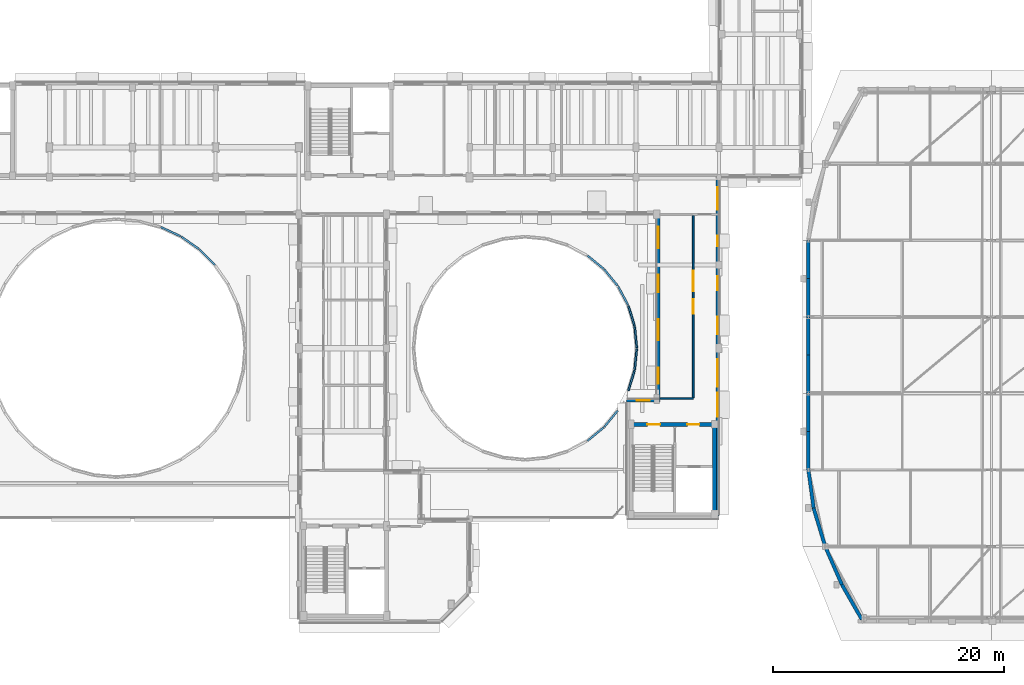
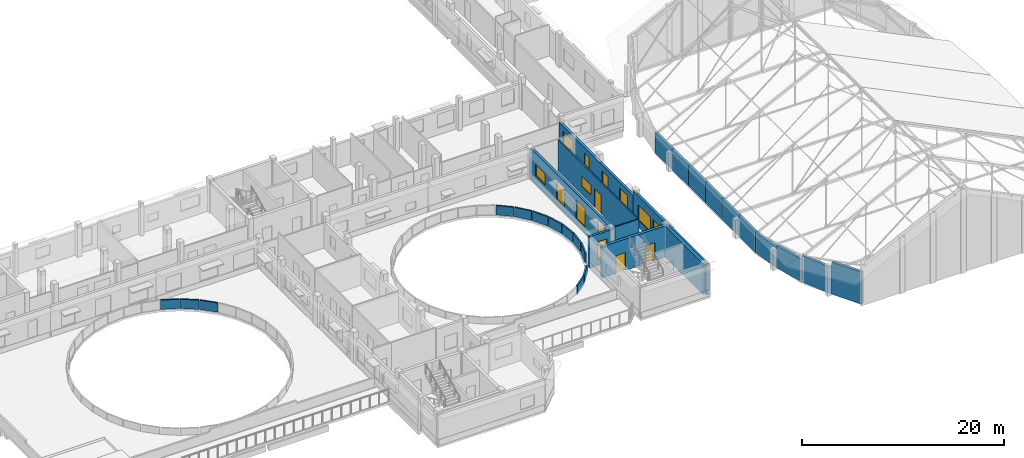
# One storey, part 63 of 78: 30 walls, 12 windows, 3 doors, 15 openings.
"""IFC4 building model written with IfcOpenShell, lengths in metres."""

import ifcopenshell
import ifcopenshell.guid

model = None  # the IFC model being written
_history = None  # IfcOwnerHistory: only IFC2X3 demands one
_inside = {}  # id of a spatial element -> (the spatial element, [elements in it])
_under = {}  # id of a project, library or spatial element -> (it, [spatial elements below it])
_declared = {}  # id of a project -> (the project, [libraries it declares])
_typed = {}  # id of a type object -> (the type object, [elements of that type])
_made_of = {}  # id of a material, layer set ... -> (it, [elements and type objects made of it])


def new_model(schema):
    """Start an empty IFC model of exactly this schema.

    Asked for "IFC4X3", IfcOpenShell would pick the latest addendum, in which some entities
    have other attributes; the version numbers below select the first issue.
    IFC2X3 requires an IfcOwnerHistory on every rooted entity: one is made here for all.
    """
    global model, _history
    if schema == "IFC4X3":
        model = ifcopenshell.file(schema_version=(4, 3, 0, 0))
    else:
        model = ifcopenshell.file(schema=schema)
    _inside.clear()
    _under.clear()
    _declared.clear()
    _typed.clear()
    _made_of.clear()
    _history = None
    if model.schema == "IFC2X3":
        org = make("IfcOrganization", Name="unknown")
        user = make(
            "IfcPersonAndOrganization",
            ThePerson=make("IfcPerson", FamilyName="unknown"),
            TheOrganization=org,
        )
        app = make(
            "IfcApplication",
            ApplicationDeveloper=org,
            Version="unknown",
            ApplicationFullName="unknown",
            ApplicationIdentifier="unknown",
        )
        _history = make(
            "IfcOwnerHistory",
            OwningUser=user,
            OwningApplication=app,
            ChangeAction="ADDED",
            CreationDate=0,
        )
    return model


def make(cls, **values):
    """One entity of the class cls with the attributes given. An attribute that is None is left unset."""
    return model.create_entity(
        cls, **{name: value for name, value in values.items() if value is not None}
    )


def rooted(cls, **values):
    """An entity with a GlobalId (a new one), such as an element, a storey or a relation."""
    return make(cls, GlobalId=ifcopenshell.guid.new(), OwnerHistory=_history, **values)


def si_unit(unit_type, name, prefix=None):
    """IfcSIUnit, for example si_unit("LENGTHUNIT", "METRE", prefix="MILLI")."""
    return make("IfcSIUnit", UnitType=unit_type, Prefix=prefix, Name=name)


def assignment(units):
    """IfcUnitAssignment: the units of a project."""
    return None if units is None else make("IfcUnitAssignment", Units=units)


def point(xyz):
    """IfcCartesianPoint."""
    return None if xyz is None else make("IfcCartesianPoint", Coordinates=xyz)


def direction(xyz):
    """IfcDirection."""
    return None if xyz is None else make("IfcDirection", DirectionRatios=xyz)


def frame(location, z_axis=None, x_axis=None):
    """IfcAxis2Placement3D, a coordinate frame: its origin and axes. An axis left out is left unset."""
    return make(
        "IfcAxis2Placement3D",
        Location=point(location),
        Axis=direction(z_axis),
        RefDirection=direction(x_axis),
    )


def frame_2d(location, x_axis=None):
    """IfcAxis2Placement2D, a coordinate frame in the plane: its origin and x axis."""
    return make(
        "IfcAxis2Placement2D", Location=point(location), RefDirection=direction(x_axis)
    )


def origin():
    """The frame at (0, 0, 0) with its axes left unset."""
    return frame((0.0, 0.0, 0.0))


def place(relative_to, where):
    """IfcLocalPlacement: puts the frame where relative to a parent placement (None: the world)."""
    return make(
        "IfcLocalPlacement", PlacementRelTo=relative_to, RelativePlacement=where
    )


def context(
    kind, dimensions, precision=None, world=None, true_north=None, identifier=None
):
    """IfcGeometricRepresentationContext, for example the 3D "Model" context."""
    return make(
        "IfcGeometricRepresentationContext",
        ContextIdentifier=identifier,
        ContextType=kind,
        CoordinateSpaceDimension=dimensions,
        Precision=precision,
        WorldCoordinateSystem=world,
        TrueNorth=true_north,
    )


def subcontext(parent, identifier, kind, view, scale=None):
    """IfcGeometricRepresentationSubContext, for example "Body" below "Model"."""
    return make(
        "IfcGeometricRepresentationSubContext",
        ContextIdentifier=identifier,
        ContextType=kind,
        ParentContext=parent,
        TargetScale=scale,
        TargetView=view,
    )


def project(units=None, contexts=None):
    """IfcProject with its units and contexts."""
    return rooted(
        "IfcProject",
        Name="project",
        RepresentationContexts=contexts,
        UnitsInContext=assignment(units),
    )


def spatial(cls, under=None, at=None, **own):
    """A site, building, storey or space (cls), placed at a placement, below another one or the project."""
    s = rooted(cls, ObjectPlacement=at, **own)
    if under is not None:
        _under.setdefault(under.id(), (under, []))[1].append(s)
    return s


def profile(cls, at=None, kind="AREA", **sizes):
    """A parametric profile (cls). Its sizes go by their IFC names, for example OverallWidth=200.0."""
    return make(cls, ProfileType=kind, Position=at, **sizes)


def rectangle(**sizes):
    """IfcRectangleProfileDef."""
    return profile("IfcRectangleProfileDef", **sizes)


def extrude(swept, where, along, depth):
    """IfcExtrudedAreaSolid: the profile swept, set in the frame where, extruded along a direction by depth."""
    return make(
        "IfcExtrudedAreaSolid",
        SweptArea=swept,
        Position=where,
        ExtrudedDirection=direction(along),
        Depth=depth,
    )


def shape(context_of_items, identifier, shape_type, items):
    """IfcShapeRepresentation: the items that make up one representation, for example the "Body"."""
    return make(
        "IfcShapeRepresentation",
        ContextOfItems=context_of_items,
        RepresentationIdentifier=identifier,
        RepresentationType=shape_type,
        Items=items,
    )


def material(Name=None, Category=None):
    """IfcMaterial."""
    return make("IfcMaterial", Name=Name, Category=Category)


def layer(
    of_material, thickness, ventilated=None, Name=None, Category=None, Priority=None
):
    """IfcMaterialLayer: one layer of a wall or slab, of a material (None: an air gap)."""
    return make(
        "IfcMaterialLayer",
        Material=of_material,
        LayerThickness=thickness,
        IsVentilated=ventilated,
        Name=Name,
        Category=Category,
        Priority=Priority,
    )


def layer_set(layers, Name=None):
    """IfcMaterialLayerSet."""
    return make("IfcMaterialLayerSet", MaterialLayers=layers, LayerSetName=Name)


def made_of(thing, what):
    """Note that an element or type object is made of a material, layer set ...; save() writes the relation."""
    if what is not None:
        _made_of.setdefault(what.id(), (what, []))[1].append(thing)
    return thing


def type_object(cls, material=None, **own):
    """A type object (cls), such as IfcWallType, which elements share."""
    return made_of(rooted(cls, **own), material)


def element(
    cls,
    number,
    at=None,
    inside=None,
    cuts=None,
    type_object=None,
    material=None,
    context=None,
    identifier="Body",
    shape_type=None,
    held_by="IfcProductDefinitionShape",
    body=None,
    shapes=None,
    **own,
):
    """One element of the class cls, such as IfcWall. Its Tag is "e" and its number.

    at: its placement. inside: the storey or other place that contains it. cuts: it is an
    opening in that element (IfcRelVoidsElement). A single representation is given by context,
    identifier, shape_type and body (its items); several are given by shapes. held_by: the class
    of the entity that holds the representations. save() writes the other relations.
    """
    e = rooted(cls, Tag="e%d" % number, ObjectPlacement=at, **own)
    if body is not None:
        shapes = [shape(context, identifier, shape_type, body)]
    if shapes is not None:
        e.Representation = make(held_by, Representations=shapes)
    if inside is not None:
        _inside.setdefault(inside.id(), (inside, []))[1].append(e)
    if cuts is not None:
        rooted(
            "IfcRelVoidsElement", RelatingBuildingElement=cuts, RelatedOpeningElement=e
        )
    if type_object is not None:
        _typed.setdefault(type_object.id(), (type_object, []))[1].append(e)
    return made_of(e, material)


def fill(opening, filler):
    """IfcRelFillsElement: the door or window that sits in an opening."""
    return rooted(
        "IfcRelFillsElement",
        RelatingOpeningElement=opening,
        RelatedBuildingElement=filler,
    )


def aggregate(whole, parts):
    """IfcRelAggregates: a whole, such as a stair, and the parts it consists of."""
    return rooted("IfcRelAggregates", RelatingObject=whole, RelatedObjects=parts)


def save(model, path):
    """Write the relations noted so far, then the file.

    IfcRelAggregates (storeys below a building ...), IfcRelContainedInSpatialStructure (elements
    in a storey), IfcRelDefinesByType, IfcRelAssociatesMaterial and IfcRelDeclares: one each for
    every whole, place, type object, material and project.
    """
    for whole, parts in _under.values():
        aggregate(whole, parts)
    for where, things in _inside.values():
        rooted(
            "IfcRelContainedInSpatialStructure",
            RelatedElements=things,
            RelatingStructure=where,
        )
    for kind, things in _typed.values():
        rooted("IfcRelDefinesByType", RelatedObjects=things, RelatingType=kind)
    for what, things in _made_of.values():
        rooted("IfcRelAssociatesMaterial", RelatedObjects=things, RelatingMaterial=what)
    for by, libraries in _declared.values():
        rooted("IfcRelDeclares", RelatingContext=by, RelatedDefinitions=libraries)
    model.write(path)


model = new_model("IFC4")

# Units and contexts
model_context = context("Model", 3, precision=1e-05, world=origin(), true_north=direction((0.0, 1.0)))
body_context = subcontext(model_context, "Body", "Model", "MODEL_VIEW")
ifc_project = project(units=[si_unit("LENGTHUNIT", "METRE"), si_unit("AREAUNIT", "SQUARE_METRE"), si_unit("VOLUMEUNIT", "CUBIC_METRE"), si_unit("PLANEANGLEUNIT", "RADIAN"), si_unit("MASSUNIT", "GRAM", prefix="KILO")], contexts=[model_context])

# Site, building, storey
site_placement = place(None, origin())
site = spatial("IfcSite", under=ifc_project, at=site_placement, CompositionType="ELEMENT")
building_placement = place(site_placement, origin())
building = spatial("IfcBuilding", under=site, at=building_placement, Name="Kelanivale Promenade Academy", CompositionType="ELEMENT")
storey_placement = place(building_placement, frame((0.0, 0.0, 16.199951171875)))
storey = spatial("IfcBuildingStorey", under=building, at=storey_placement, Name="L04", CompositionType="ELEMENT", Elevation=16.199951171875)

# Wall, openings, doors
ifc_material_1 = material(Name="Concrete C40/50", Category="concrete")
ifc_layer_1 = layer(ifc_material_1, 0.330078125)
ifc_layer_set_1 = layer_set([ifc_layer_1], Name="Concrete C40/50")
wall_type_1 = type_object("IfcWallType", Name="CW-S1 Wall 330mm", PredefinedType="SHEAR", material=ifc_layer_set_1)
wall_1_placement = place(storey_placement, frame((107.8349609375, 50.199951171875, 0.0), z_axis=(0.0, 0.0, 1.0), x_axis=(1.0, 0.0, 0.0)))
wall_1 = element("IfcWall", 1, at=wall_1_placement, inside=storey, type_object=wall_type_1, Name="CORE-3 RC shear wall N L04", PredefinedType="SHEAR", context=body_context, shape_type="SweptSolid", body=[
    extrude(rectangle(XDim=7.530029296875, YDim=0.330078125, at=frame_2d((3.76513671875, 0.0))), origin(), (0.0, 0.0, 1.0), 3.780029296875),
])
opening_1_placement = place(wall_1_placement, frame((5.014892578125, 0.0, 0.0)))
opening_1 = element("IfcOpeningElement", 2, at=opening_1_placement, cuts=wall_1, Name="Opening FD-CORE-3-LB-L04", PredefinedType="OPENING", context=body_context, shape_type="SweptSolid", body=[
    extrude(rectangle(XDim=1.050048828125, YDim=2.14990234375, at=frame_2d((0.52490234375, 1.074951171875))), frame((0.0, 0.175048828125, 0.0), z_axis=(0.0, -1.0, 0.0), x_axis=(1.0, 0.0, 0.0)), (0.0, 0.0, 1.0), 0.35009765625),
])
opening_2_placement = place(wall_1_placement, frame((1.56494140625, 0.0, 0.0)))
opening_2 = element("IfcOpeningElement", 3, at=opening_2_placement, cuts=wall_1, Name="Opening FD-CORE-3-ST-L04", PredefinedType="OPENING", context=body_context, shape_type="SweptSolid", body=[
    extrude(rectangle(XDim=1.10009765625, YDim=2.14990234375, at=frame_2d((0.550048828125, 1.074951171875))), frame((0.0, 0.175048828125, 0.0), z_axis=(0.0, -1.0, 0.0), x_axis=(1.0, 0.0, 0.0)), (0.0, 0.0, 1.0), 0.35009765625),
])
ifc_material_2 = material(Name="Fire-rated steel-core teak veneer", Category="steel")
door_type_1 = type_object("IfcDoorType", Name="DT-F01 Door 1100x2150", OperationType="NOTDEFINED", PredefinedType="DOOR", material=ifc_material_2)
door_1_placement = place(opening_2_placement, origin())
door_1 = element("IfcDoor", 4, at=door_1_placement, inside=storey, type_object=door_type_1, Name="CORE-3 protected stair fire door L04", OperationType="SINGLE_SWING_LEFT", OverallHeight=2.14990234375, OverallWidth=1.10009765625, PredefinedType="DOOR", context=body_context, shape_type="SweptSolid", body=[
    extrude(rectangle(XDim=1.10009765625, YDim=2.14990234375, at=frame_2d((0.550048828125, 1.074951171875))), frame((0.0, 0.02490234375, 0.0), z_axis=(0.0, -1.0, 0.0), x_axis=(1.0, 0.0, 0.0)), (0.0, 0.0, 1.0), 0.050048828125),
])
fill(opening_2, door_1)
door_type_2 = type_object("IfcDoorType", Name="DT-F03 Door 1050x2150", OperationType="NOTDEFINED", PredefinedType="DOOR", material=ifc_material_2)
door_2_placement = place(opening_1_placement, origin())
door_2 = element("IfcDoor", 5, at=door_2_placement, inside=storey, type_object=door_type_2, Name="CORE-3 corridor-to-lobby fire door L04", OperationType="SINGLE_SWING_RIGHT", OverallHeight=2.14990234375, OverallWidth=1.050048828125, PredefinedType="DOOR", context=body_context, shape_type="SweptSolid", body=[
    extrude(rectangle(XDim=1.050048828125, YDim=2.14990234375, at=frame_2d((0.52490234375, 1.074951171875))), frame((0.0, 0.02490234375, 0.0), z_axis=(0.0, -1.0, 0.0), x_axis=(1.0, 0.0, 0.0)), (0.0, 0.0, 1.0), 0.050048828125),
])
fill(opening_1, door_2)

# Walls
wall_2_placement = place(storey_placement, frame((115.199951171875, 42.56494140625, 0.0), z_axis=(0.0, 0.0, 1.0), x_axis=(0.0, 1.0, 0.0)))
element("IfcWall", 6, at=wall_2_placement, inside=storey, type_object=wall_type_1, Name="CORE-3 RC shear wall E L04", PredefinedType="SHEAR", context=body_context, shape_type="SweptSolid", body=[
    extrude(rectangle(XDim=7.469970703125, YDim=0.330078125, at=frame_2d((3.73486328125, 0.0))), origin(), (0.0, 0.0, 1.0), 3.780029296875),
])
ifc_material_3 = material(Name="Insulated terracotta-clad masonry wall 300 mm", Category="masonry")
ifc_layer_2 = layer(ifc_material_3, 0.300048828125)
ifc_layer_set_2 = layer_set([ifc_layer_2], Name="Insulated terracotta-clad masonry wall 300 mm")
wall_type_2 = type_object("IfcWallType", Name="EW-01 Wall 300mm", PredefinedType="SOLIDWALL", material=ifc_layer_set_2)
wall_3_placement = place(storey_placement, frame((126.25, 36.31396484375, 0.0), z_axis=(0.0, 0.0, 1.0), x_axis=(0.497392560198, -0.867525585248, 0.0)))
element("IfcWall", 7, at=wall_3_placement, inside=storey, type_object=wall_type_2, Name="Assembly Hall Arc Pavilion inner crescent wall L04", PredefinedType="SOLIDWALL", context=body_context, shape_type="SweptSolid", body=[
    extrude(rectangle(XDim=3.47998046875, YDim=0.300048828125, at=frame_2d((1.739990234375, 0.0))), origin(), (0.0, 0.0, 1.0), 3.89794921875),
])
wall_4_placement = place(storey_placement, frame((124.800048828125, 39.62890625, 0.0), z_axis=(0.0, 0.0, 1.0), x_axis=(0.400740958437, -0.916191401526, 0.0)))
element("IfcWall", 8, at=wall_4_placement, inside=storey, type_object=wall_type_2, Name="Assembly Hall Arc Pavilion inner crescent wall L04", PredefinedType="SOLIDWALL", context=body_context, shape_type="SweptSolid", body=[
    extrude(rectangle(XDim=3.6181640625, YDim=0.300048828125, at=frame_2d((1.80908203125, 0.0))), origin(), (0.0, 0.0, 1.0), 3.18896484375),
])
wall_5_placement = place(storey_placement, frame((123.800048828125, 42.943115234375, 0.0), z_axis=(0.0, 0.0, 1.0), x_axis=(0.288868004026, -0.957368934241, 0.0)))
element("IfcWall", 9, at=wall_5_placement, inside=storey, type_object=wall_type_2, Name="Assembly Hall Arc Pavilion inner crescent wall L04", PredefinedType="SOLIDWALL", context=body_context, shape_type="SweptSolid", body=[
    extrude(rectangle(XDim=3.461669921875, YDim=0.300048828125, at=frame_2d((1.73095703125, 0.0))), origin(), (0.0, 0.0, 1.0), 2.700927734375),
])
wall_6_placement = place(storey_placement, frame((123.35009765625, 46.257080078125, 0.0), z_axis=(0.0, 0.0, 1.0), x_axis=(0.134539839792, -0.990908185206, 0.0)))
element("IfcWall", 10, at=wall_6_placement, inside=storey, type_object=wall_type_2, Name="Assembly Hall Arc Pavilion inner crescent wall L04", PredefinedType="SOLIDWALL", context=body_context, shape_type="SweptSolid", body=[
    extrude(rectangle(XDim=3.344482421875, YDim=0.300048828125, at=frame_2d((1.67236328125, 0.0))), origin(), (0.0, 0.0, 1.0), 2.48095703125),
])
wall_7_placement = place(storey_placement, frame((123.35009765625, 49.571044921875, 0.0), z_axis=(0.0, 0.0, 1.0), x_axis=(0.0, -1.0, 0.0)))
element("IfcWall", 11, at=wall_7_placement, inside=storey, type_object=wall_type_2, Name="Assembly Hall Arc Pavilion inner crescent wall L04", PredefinedType="SOLIDWALL", context=body_context, shape_type="SweptSolid", body=[
    extrude(rectangle(XDim=3.31396484375, YDim=0.300048828125, at=frame_2d((1.656982421875, 0.0))), origin(), (0.0, 0.0, 1.0), 2.48095703125),
])
wall_8_placement = place(storey_placement, frame((123.35009765625, 52.885986328125, 0.0), z_axis=(0.0, 0.0, 1.0), x_axis=(0.0, -1.0, 0.0)))
element("IfcWall", 12, at=wall_8_placement, inside=storey, type_object=wall_type_2, Name="Assembly Hall Arc Pavilion inner crescent wall L04", PredefinedType="SOLIDWALL", context=body_context, shape_type="SweptSolid", body=[
    extrude(rectangle(XDim=3.31494140625, YDim=0.300048828125, at=frame_2d((1.657470703125, 0.0))), origin(), (0.0, 0.0, 1.0), 2.48095703125),
])
for number, where, z_axis, x_axis, name in (
    (13, (123.35009765625, 56.199951171875, 0.0), (0.0, 0.0, 1.0), (0.0, -1.0, 0.0), "Assembly Hall Arc Pavilion inner crescent wall L04"),
    (14, (123.35009765625, 59.513916015625, 0.0), (0.0, 0.0, 1.0), (0.0, -1.0, 0.0), "Assembly Hall Arc Pavilion inner crescent wall L04"),
):
    element("IfcWall", number, at=place(storey_placement, frame(where, z_axis=z_axis, x_axis=x_axis)), inside=storey, type_object=wall_type_2, Name=name, PredefinedType="SOLIDWALL", context=body_context, shape_type="SweptSolid", body=[
        extrude(rectangle(XDim=3.31396484375, YDim=0.300048828125, at=frame_2d((1.656982421875, 0.0))), origin(), (0.0, 0.0, 1.0), 2.48095703125),
    ])
wall_9_placement = place(storey_placement, frame((123.35009765625, 62.8291015625, 0.0), z_axis=(0.0, 0.0, 1.0), x_axis=(0.0, -1.0, 0.0)))
element("IfcWall", 15, at=wall_9_placement, inside=storey, type_object=wall_type_2, Name="Assembly Hall Arc Pavilion inner crescent wall L04", PredefinedType="SOLIDWALL", context=body_context, shape_type="SweptSolid", body=[
    extrude(rectangle(XDim=3.315185546875, YDim=0.300048828125, at=frame_2d((1.65771484375, 0.0))), origin(), (0.0, 0.0, 1.0), 2.48095703125),
])
wall_10_placement = place(storey_placement, frame((123.35009765625, 66.14306640625, 0.0), z_axis=(0.0, 0.0, 1.0), x_axis=(0.0, -1.0, 0.0)))
element("IfcWall", 16, at=wall_10_placement, inside=storey, type_object=wall_type_2, Name="Assembly Hall Arc Pavilion inner crescent wall L04", PredefinedType="SOLIDWALL", context=body_context, shape_type="SweptSolid", body=[
    extrude(rectangle(XDim=3.31396484375, YDim=0.300048828125, at=frame_2d((1.656982421875, 0.0))), origin(), (0.0, 0.0, 1.0), 2.48095703125),
])

# Wall, openings, windows
ifc_material_4 = material(Name="Insulated ivory stucco masonry wall 280 mm", Category="masonry")
ifc_layer_3 = layer(ifc_material_4, 0.280029296875)
ifc_layer_set_3 = layer_set([ifc_layer_3], Name="Insulated ivory stucco masonry wall 280 mm")
wall_type_3 = type_object("IfcWallType", Name="EW-02 Wall 280mm", PredefinedType="SOLIDWALL", material=ifc_layer_set_3)
wall_11_placement = place(storey_placement, frame((110.340087890625, 68.39990234375, 0.0), z_axis=(0.0, 0.0, 1.0), x_axis=(0.0, -1.0, 0.0)))
wall_11 = element("IfcWall", 17, at=wall_11_placement, inside=storey, type_object=wall_type_3, Name="L04 exterior facade wall EW-L04-ORT-0524", PredefinedType="SOLIDWALL", context=body_context, shape_type="SweptSolid", body=[
    extrude(rectangle(XDim=16.0, YDim=0.280029296875, at=frame_2d((8.0, 0.0))), origin(), (0.0, 0.0, 1.0), 3.780029296875),
])
opening_3_placement = place(wall_11_placement, frame((1.074951171875, 0.0, 1.050048828125)))
opening_3 = element("IfcOpeningElement", 18, at=opening_3_placement, cuts=wall_11, Name="Opening WT-36", PredefinedType="OPENING", context=body_context, shape_type="SweptSolid", body=[
    extrude(rectangle(XDim=1.85009765625, YDim=1.39990234375, at=frame_2d((0.925048828125, 0.699951171875))), frame((0.0, 0.14990234375, 0.0), z_axis=(0.0, -1.0, 0.0), x_axis=(1.0, 0.0, 0.0)), (0.0, 0.0, 1.0), 0.300048828125),
])
opening_4_placement = place(wall_11_placement, frame((5.25, 0.0, 0.75)))
opening_4 = element("IfcOpeningElement", 19, at=opening_4_placement, cuts=wall_11, Name="Opening WT-11", PredefinedType="OPENING", context=body_context, shape_type="SweptSolid", body=[
    extrude(rectangle(XDim=1.5, YDim=2.199951171875, at=frame_2d((0.75, 1.10009765625))), frame((0.0, 0.14990234375, 0.0), z_axis=(0.0, -1.0, 0.0), x_axis=(1.0, 0.0, 0.0)), (0.0, 0.0, 1.0), 0.300048828125),
])
opening_5_placement = place(wall_11_placement, frame((9.10009765625, 0.0, 0.75)))
opening_5 = element("IfcOpeningElement", 20, at=opening_5_placement, cuts=wall_11, Name="Opening WT-12", PredefinedType="OPENING", context=body_context, shape_type="SweptSolid", body=[
    extrude(rectangle(XDim=1.800048828125, YDim=2.25, at=frame_2d((0.89990234375, 1.125))), frame((0.0, 0.14990234375, 0.0), z_axis=(0.0, -1.0, 0.0), x_axis=(1.0, 0.0, 0.0)), (0.0, 0.0, 1.0), 0.300048828125),
])
opening_6_placement = place(wall_11_placement, frame((13.300048828125, 0.0, 0.75)))
opening_6 = element("IfcOpeningElement", 21, at=opening_6_placement, cuts=wall_11, Name="Opening WT-13", PredefinedType="OPENING", context=body_context, shape_type="SweptSolid", body=[
    extrude(rectangle(XDim=1.39990234375, YDim=2.39990234375, at=frame_2d((0.699951171875, 1.199951171875))), frame((0.0, 0.14990234375, 0.0), z_axis=(0.0, -1.0, 0.0), x_axis=(1.0, 0.0, 0.0)), (0.0, 0.0, 1.0), 0.300048828125),
])
ifc_material_5 = material(Name="Bronze anodised aluminium frame with low-E laminated glass", Category="aluminium")
window_type_1 = type_object("IfcWindowType", Name="WT-11 Window 1500x2200", PartitioningType="SINGLE_PANEL", PredefinedType="WINDOW", material=ifc_material_5)
window_1_placement = place(opening_4_placement, origin())
window_1 = element("IfcWindow", 22, at=window_1_placement, inside=storey, type_object=window_type_1, Name="Window WT-11", OverallHeight=2.199951171875, OverallWidth=1.5, PartitioningType="SINGLE_PANEL", PredefinedType="WINDOW", context=body_context, shape_type="SweptSolid", body=[
    extrude(rectangle(XDim=1.5, YDim=2.199951171875, at=frame_2d((0.75, 1.10009765625))), frame((0.0, 0.030029296875, 0.0), z_axis=(0.0, -1.0, 0.0), x_axis=(1.0, 0.0, 0.0)), (0.0, 0.0, 1.0), 0.06005859375),
])
fill(opening_4, window_1)
window_type_2 = type_object("IfcWindowType", Name="WT-12 Window 1800x2250", PartitioningType="SINGLE_PANEL", PredefinedType="WINDOW", material=ifc_material_5)
window_2_placement = place(opening_5_placement, origin())
window_2 = element("IfcWindow", 23, at=window_2_placement, inside=storey, type_object=window_type_2, Name="Window WT-12", OverallHeight=2.25, OverallWidth=1.800048828125, PartitioningType="SINGLE_PANEL", PredefinedType="WINDOW", context=body_context, shape_type="SweptSolid", body=[
    extrude(rectangle(XDim=1.800048828125, YDim=2.25, at=frame_2d((0.89990234375, 1.125))), frame((0.0, 0.030029296875, 0.0), z_axis=(0.0, -1.0, 0.0), x_axis=(1.0, 0.0, 0.0)), (0.0, 0.0, 1.0), 0.06005859375),
])
fill(opening_5, window_2)
window_type_3 = type_object("IfcWindowType", Name="WT-13 Window 1400x2400", PartitioningType="SINGLE_PANEL", PredefinedType="WINDOW", material=ifc_material_5)
window_3_placement = place(opening_6_placement, origin())
window_3 = element("IfcWindow", 24, at=window_3_placement, inside=storey, type_object=window_type_3, Name="Window WT-13", OverallHeight=2.39990234375, OverallWidth=1.39990234375, PartitioningType="SINGLE_PANEL", PredefinedType="WINDOW", context=body_context, shape_type="SweptSolid", body=[
    extrude(rectangle(XDim=1.39990234375, YDim=2.39990234375, at=frame_2d((0.699951171875, 1.199951171875))), frame((0.0, 0.030029296875, 0.0), z_axis=(0.0, -1.0, 0.0), x_axis=(1.0, 0.0, 0.0)), (0.0, 0.0, 1.0), 0.06005859375),
])
fill(opening_6, window_3)
window_type_4 = type_object("IfcWindowType", Name="WT-36 Window 1850x1400", PartitioningType="SINGLE_PANEL", PredefinedType="WINDOW", material=ifc_material_5)
window_4_placement = place(opening_3_placement, origin())
window_4 = element("IfcWindow", 25, at=window_4_placement, inside=storey, type_object=window_type_4, Name="Window WT-36", OverallHeight=1.39990234375, OverallWidth=1.85009765625, PartitioningType="SINGLE_PANEL", PredefinedType="WINDOW", context=body_context, shape_type="SweptSolid", body=[
    extrude(rectangle(XDim=1.85009765625, YDim=1.39990234375, at=frame_2d((0.925048828125, 0.699951171875))), frame((0.0, 0.030029296875, 0.0), z_axis=(0.0, -1.0, 0.0), x_axis=(1.0, 0.0, 0.0)), (0.0, 0.0, 1.0), 0.06005859375),
])
fill(opening_3, window_4)

# Wall, opening, window
wall_12_placement = place(storey_placement, frame((110.47998046875, 52.260009765625, 0.0), z_axis=(0.0, 0.0, 1.0), x_axis=(-1.0, 0.0, 0.0)))
wall_12 = element("IfcWall", 26, at=wall_12_placement, inside=storey, type_object=wall_type_3, Name="L04 exterior facade wall EW-L04-ORT-0525", PredefinedType="SOLIDWALL", context=body_context, shape_type="SweptSolid", body=[
    extrude(rectangle(XDim=2.8798828125, YDim=0.280029296875, at=frame_2d((1.43994140625, 0.0))), origin(), (0.0, 0.0, 1.0), 3.780029296875),
])
opening_7_placement = place(wall_12_placement, frame((0.889892578125, 0.0, 0.75)))
opening_7 = element("IfcOpeningElement", 27, at=opening_7_placement, cuts=wall_12, Name="Opening WT-17", PredefinedType="OPENING", context=body_context, shape_type="SweptSolid", body=[
    extrude(rectangle(XDim=1.10009765625, YDim=2.10009765625, at=frame_2d((0.550048828125, 1.050048828125))), frame((0.0, 0.14990234375, 0.0), z_axis=(0.0, -1.0, 0.0), x_axis=(1.0, 0.0, 0.0)), (0.0, 0.0, 1.0), 0.300048828125),
])
window_type_5 = type_object("IfcWindowType", Name="WT-17 Window 1100x2100", PartitioningType="SINGLE_PANEL", PredefinedType="WINDOW", material=ifc_material_5)
window_5_placement = place(opening_7_placement, origin())
window_5 = element("IfcWindow", 28, at=window_5_placement, inside=storey, type_object=window_type_5, Name="Window WT-17", OverallHeight=2.10009765625, OverallWidth=1.10009765625, PartitioningType="SINGLE_PANEL", PredefinedType="WINDOW", context=body_context, shape_type="SweptSolid", body=[
    extrude(rectangle(XDim=1.10009765625, YDim=2.10009765625, at=frame_2d((0.550048828125, 1.050048828125))), frame((0.0, 0.030029296875, 0.0), z_axis=(0.0, -1.0, 0.0), x_axis=(1.0, 0.0, 0.0)), (0.0, 0.0, 1.0), 0.06005859375),
])
fill(opening_7, window_5)

# Wall, openings, windows
wall_13_placement = place(storey_placement, frame((115.4599609375, 42.280029296875, 0.0), z_axis=(0.0, 0.0, 1.0), x_axis=(0.0, 1.0, 0.0)))
wall_13 = element("IfcWall", 29, at=wall_13_placement, inside=storey, type_object=wall_type_3, Name="L04 exterior facade wall EW-L04-ORT-0528", PredefinedType="SOLIDWALL", context=body_context, shape_type="SweptSolid", body=[
    extrude(rectangle(XDim=14.659912109375, YDim=0.280029296875, at=frame_2d((7.330078125, 0.0))), origin(), (0.0, 0.0, 1.0), 3.780029296875),
])
opening_8_placement = place(wall_13_placement, frame((8.56201171875, 0.0, 0.85009765625)))
opening_8 = element("IfcOpeningElement", 30, at=opening_8_placement, cuts=wall_13, Name="Opening WT-02", PredefinedType="OPENING", context=body_context, shape_type="SweptSolid", body=[
    extrude(rectangle(XDim=2.10009765625, YDim=1.800048828125, at=frame_2d((1.050048828125, 0.89990234375))), frame((0.0, 0.14990234375, 0.0), z_axis=(0.0, -1.0, 0.0), x_axis=(1.0, 0.0, 0.0)), (0.0, 0.0, 1.0), 0.300048828125),
])
opening_9_placement = place(wall_13_placement, frame((11.177001953125, 0.0, 0.85009765625)))
opening_9 = element("IfcOpeningElement", 31, at=opening_9_placement, cuts=wall_13, Name="Opening WT-03", PredefinedType="OPENING", context=body_context, shape_type="SweptSolid", body=[
    extrude(rectangle(XDim=2.39990234375, YDim=1.85009765625, at=frame_2d((1.199951171875, 0.925048828125))), frame((0.0, 0.14990234375, 0.0), z_axis=(0.0, -1.0, 0.0), x_axis=(1.0, 0.0, 0.0)), (0.0, 0.0, 1.0), 0.300048828125),
])
window_type_6 = type_object("IfcWindowType", Name="WT-02 Window 2100x1800", PartitioningType="SINGLE_PANEL", PredefinedType="WINDOW", material=ifc_material_5)
window_6_placement = place(opening_8_placement, origin())
window_6 = element("IfcWindow", 32, at=window_6_placement, inside=storey, type_object=window_type_6, Name="Window WT-02", OverallHeight=1.800048828125, OverallWidth=2.10009765625, PartitioningType="SINGLE_PANEL", PredefinedType="WINDOW", context=body_context, shape_type="SweptSolid", body=[
    extrude(rectangle(XDim=2.10009765625, YDim=1.800048828125, at=frame_2d((1.050048828125, 0.89990234375))), frame((0.0, 0.030029296875, 0.0), z_axis=(0.0, -1.0, 0.0), x_axis=(1.0, 0.0, 0.0)), (0.0, 0.0, 1.0), 0.06005859375),
])
fill(opening_8, window_6)
window_type_7 = type_object("IfcWindowType", Name="WT-03 Window 2400x1850", PartitioningType="SINGLE_PANEL", PredefinedType="WINDOW", material=ifc_material_5)
window_7_placement = place(opening_9_placement, origin())
window_7 = element("IfcWindow", 33, at=window_7_placement, inside=storey, type_object=window_type_7, Name="Window WT-03", OverallHeight=1.85009765625, OverallWidth=2.39990234375, PartitioningType="SINGLE_PANEL", PredefinedType="WINDOW", context=body_context, shape_type="SweptSolid", body=[
    extrude(rectangle(XDim=2.39990234375, YDim=1.85009765625, at=frame_2d((1.199951171875, 0.925048828125))), frame((0.0, 0.030029296875, 0.0), z_axis=(0.0, -1.0, 0.0), x_axis=(1.0, 0.0, 0.0)), (0.0, 0.0, 1.0), 0.06005859375),
])
fill(opening_9, window_7)

wall_14_placement = place(storey_placement, frame((115.4599609375, 56.93994140625, 0.0), z_axis=(0.0, 0.0, 1.0), x_axis=(0.0, 1.0, 0.0)))
wall_14 = element("IfcWall", 34, at=wall_14_placement, inside=storey, type_object=wall_type_3, Name="L04 exterior facade wall EW-L04-ORT-0529", PredefinedType="SOLIDWALL", context=body_context, shape_type="SweptSolid", body=[
    extrude(rectangle(XDim=14.66015625, YDim=0.280029296875, at=frame_2d((7.330078125, 0.0))), origin(), (0.0, 0.0, 1.0), 3.175048828125),
])
opening_10_placement = place(wall_14_placement, frame((1.08203125, 0.0, 0.85009765625)))
opening_10 = element("IfcOpeningElement", 35, at=opening_10_placement, cuts=wall_14, Name="Opening WT-04", PredefinedType="OPENING", context=body_context, shape_type="SweptSolid", body=[
    extrude(rectangle(XDim=1.5, YDim=1.64990234375, at=frame_2d((0.75, 0.824951171875))), frame((0.0, 0.14990234375, 0.0), z_axis=(0.0, -1.0, 0.0), x_axis=(1.0, 0.0, 0.0)), (0.0, 0.0, 1.0), 0.300048828125),
])
opening_11_placement = place(wall_14_placement, frame((4.89697265625, 0.0, 0.85009765625)))
opening_11 = element("IfcOpeningElement", 36, at=opening_11_placement, cuts=wall_14, Name="Opening WT-05", PredefinedType="OPENING", context=body_context, shape_type="SweptSolid", body=[
    extrude(rectangle(XDim=1.199951171875, YDim=1.64990234375, at=frame_2d((0.60009765625, 0.824951171875))), frame((0.0, 0.14990234375, 0.0), z_axis=(0.0, -1.0, 0.0), x_axis=(1.0, 0.0, 0.0)), (0.0, 0.0, 1.0), 0.300048828125),
])
opening_12_placement = place(wall_14_placement, frame((8.7119140625, 0.0, 1.050048828125)))
opening_12 = element("IfcOpeningElement", 37, at=opening_12_placement, cuts=wall_14, Name="Opening WT-06", PredefinedType="OPENING", context=body_context, shape_type="SweptSolid", body=[
    extrude(rectangle(XDim=0.89990234375, YDim=1.5, at=frame_2d((0.449951171875, 0.75))), frame((0.0, 0.14990234375, 0.0), z_axis=(0.0, -1.0, 0.0), x_axis=(1.0, 0.0, 0.0)), (0.0, 0.0, 1.0), 0.300048828125),
])
opening_13_placement = place(wall_14_placement, frame((11.85205078125, 0.0, 1.050048828125)))
opening_13 = element("IfcOpeningElement", 38, at=opening_13_placement, cuts=wall_14, Name="Opening WT-22", PredefinedType="OPENING", context=body_context, shape_type="SweptSolid", body=[
    extrude(rectangle(XDim=1.949951171875, YDim=1.5, at=frame_2d((0.97509765625, 0.75))), frame((0.0, 0.14990234375, 0.0), z_axis=(0.0, -1.0, 0.0), x_axis=(1.0, 0.0, 0.0)), (0.0, 0.0, 1.0), 0.300048828125),
])
window_type_8 = type_object("IfcWindowType", Name="WT-04 Window 1500x1650", PartitioningType="SINGLE_PANEL", PredefinedType="WINDOW", material=ifc_material_5)
window_8_placement = place(opening_10_placement, origin())
window_8 = element("IfcWindow", 39, at=window_8_placement, inside=storey, type_object=window_type_8, Name="Window WT-04", OverallHeight=1.64990234375, OverallWidth=1.5, PartitioningType="SINGLE_PANEL", PredefinedType="WINDOW", context=body_context, shape_type="SweptSolid", body=[
    extrude(rectangle(XDim=1.5, YDim=1.64990234375, at=frame_2d((0.75, 0.824951171875))), frame((0.0, 0.030029296875, 0.0), z_axis=(0.0, -1.0, 0.0), x_axis=(1.0, 0.0, 0.0)), (0.0, 0.0, 1.0), 0.06005859375),
])
fill(opening_10, window_8)
window_type_9 = type_object("IfcWindowType", Name="WT-05 Window 1200x1650", PartitioningType="SINGLE_PANEL", PredefinedType="WINDOW", material=ifc_material_5)
window_9_placement = place(opening_11_placement, origin())
window_9 = element("IfcWindow", 40, at=window_9_placement, inside=storey, type_object=window_type_9, Name="Window WT-05", OverallHeight=1.64990234375, OverallWidth=1.199951171875, PartitioningType="SINGLE_PANEL", PredefinedType="WINDOW", context=body_context, shape_type="SweptSolid", body=[
    extrude(rectangle(XDim=1.199951171875, YDim=1.64990234375, at=frame_2d((0.60009765625, 0.824951171875))), frame((0.0, 0.030029296875, 0.0), z_axis=(0.0, -1.0, 0.0), x_axis=(1.0, 0.0, 0.0)), (0.0, 0.0, 1.0), 0.06005859375),
])
fill(opening_11, window_9)
window_type_10 = type_object("IfcWindowType", Name="WT-06 Window 900x1500", PartitioningType="SINGLE_PANEL", PredefinedType="WINDOW", material=ifc_material_5)
window_10_placement = place(opening_12_placement, origin())
window_10 = element("IfcWindow", 41, at=window_10_placement, inside=storey, type_object=window_type_10, Name="Window WT-06", OverallHeight=1.5, OverallWidth=0.89990234375, PartitioningType="SINGLE_PANEL", PredefinedType="WINDOW", context=body_context, shape_type="SweptSolid", body=[
    extrude(rectangle(XDim=0.89990234375, YDim=1.5, at=frame_2d((0.449951171875, 0.75))), frame((0.0, 0.030029296875, 0.0), z_axis=(0.0, -1.0, 0.0), x_axis=(1.0, 0.0, 0.0)), (0.0, 0.0, 1.0), 0.06005859375),
])
fill(opening_12, window_10)
window_type_11 = type_object("IfcWindowType", Name="WT-22 Window 1950x1500", PartitioningType="SINGLE_PANEL", PredefinedType="WINDOW", material=ifc_material_5)
window_11_placement = place(opening_13_placement, origin())
window_11 = element("IfcWindow", 42, at=window_11_placement, inside=storey, type_object=window_type_11, Name="Window WT-22", OverallHeight=1.5, OverallWidth=1.949951171875, PartitioningType="SINGLE_PANEL", PredefinedType="WINDOW", context=body_context, shape_type="SweptSolid", body=[
    extrude(rectangle(XDim=1.949951171875, YDim=1.5, at=frame_2d((0.97509765625, 0.75))), frame((0.0, 0.030029296875, 0.0), z_axis=(0.0, -1.0, 0.0), x_axis=(1.0, 0.0, 0.0)), (0.0, 0.0, 1.0), 0.06005859375),
])
fill(opening_13, window_11)

# Wall
ifc_material_6 = material(Name="Acoustic double-stud gypsum board partition 140 mm", Category="masonry")
ifc_layer_4 = layer(ifc_material_6, 0.139892578125)
ifc_layer_set_4 = layer_set([ifc_layer_4], Name="Acoustic double-stud gypsum board partition 140 mm")
wall_type_4 = type_object("IfcWallType", Name="IW-04 Wall 140mm", PredefinedType="PARTITIONING", material=ifc_layer_set_4)
wall_15_placement = place(storey_placement, frame((110.47802734375, 52.429931640625, 0.0), z_axis=(0.0, 0.0, 1.0), x_axis=(1.0, 0.0, 0.0)))
element("IfcWall", 43, at=wall_15_placement, inside=storey, type_object=wall_type_4, Name="L04 partition Senior Debating Seminar Room", PredefinedType="PARTITIONING", context=body_context, shape_type="SweptSolid", body=[
    extrude(rectangle(XDim=2.89208984375, YDim=0.139892578125, at=frame_2d((1.446044921875, 0.0))), origin(), (0.0, 0.0, 1.0), 3.775146484375),
])

# Wall, openings, door, window
wall_16_placement = place(storey_placement, frame((113.3701171875, 52.498046875, 0.0), z_axis=(0.0, 0.0, 1.0), x_axis=(0.0, 1.0, 0.0)))
wall_16 = element("IfcWall", 44, at=wall_16_placement, inside=storey, type_object=wall_type_4, Name="L04 partition Senior Debating Seminar Room", PredefinedType="PARTITIONING", context=body_context, shape_type="SweptSolid", body=[
    extrude(rectangle(XDim=15.803955078125, YDim=0.139892578125, at=frame_2d((7.90185546875, 0.0))), origin(), (0.0, 0.0, 1.0), 3.775146484375),
])
opening_14_placement = place(wall_16_placement, frame((7.277099609375, 0.0, 0.0)))
opening_14 = element("IfcOpeningElement", 45, at=opening_14_placement, cuts=wall_16, Name="Opening ID-L04-177", PredefinedType="OPENING", context=body_context, shape_type="SweptSolid", body=[
    extrude(rectangle(XDim=1.25, YDim=2.219970703125, at=frame_2d((0.625, 1.10986328125))), frame((0.0, 0.080078125, 0.0), z_axis=(0.0, -1.0, 0.0), x_axis=(1.0, 0.0, 0.0)), (0.0, 0.0, 1.0), 0.159912109375),
])
opening_15_placement = place(wall_16_placement, frame((9.22705078125, 0.0, 1.050048828125)))
opening_15 = element("IfcOpeningElement", 46, at=opening_15_placement, cuts=wall_16, Name="Opening WT-I02", PredefinedType="OPENING", context=body_context, shape_type="SweptSolid", body=[
    extrude(rectangle(XDim=1.800048828125, YDim=1.199951171875, at=frame_2d((0.89990234375, 0.60009765625))), frame((0.0, 0.080078125, 0.0), z_axis=(0.0, -1.0, 0.0), x_axis=(1.0, 0.0, 0.0)), (0.0, 0.0, 1.0), 0.159912109375),
])
ifc_material_7 = material(Name="Solid-core tropical teak timber", Category="wood")
door_type_3 = type_object("IfcDoorType", Name="DT-I19 Door 1250x2220", OperationType="NOTDEFINED", PredefinedType="DOOR", material=ifc_material_7)
door_3_placement = place(opening_14_placement, origin())
door_3 = element("IfcDoor", 47, at=door_3_placement, inside=storey, type_object=door_type_3, Name="Senior Debating Seminar Room door ID-L04-177", OperationType="SINGLE_SWING_LEFT", OverallHeight=2.219970703125, OverallWidth=1.25, PredefinedType="DOOR", context=body_context, shape_type="SweptSolid", body=[
    extrude(rectangle(XDim=1.25, YDim=2.219970703125, at=frame_2d((0.625, 1.10986328125))), frame((0.0, 0.02490234375, 0.0), z_axis=(0.0, -1.0, 0.0), x_axis=(1.0, 0.0, 0.0)), (0.0, 0.0, 1.0), 0.050048828125),
])
fill(opening_14, door_3)
window_type_12 = type_object("IfcWindowType", Name="WT-I02 Window 1800x1200", PartitioningType="SINGLE_PANEL", PredefinedType="WINDOW", material=ifc_material_5)
window_12_placement = place(opening_15_placement, origin())
window_12 = element("IfcWindow", 48, at=window_12_placement, inside=storey, type_object=window_type_12, Name="Interior observation window WT-I02", OverallHeight=1.199951171875, OverallWidth=1.800048828125, PartitioningType="SINGLE_PANEL", PredefinedType="WINDOW", context=body_context, shape_type="SweptSolid", body=[
    extrude(rectangle(XDim=1.800048828125, YDim=1.199951171875, at=frame_2d((0.89990234375, 0.60009765625))), frame((0.0, 0.030029296875, 0.0), z_axis=(0.0, -1.0, 0.0), x_axis=(1.0, 0.0, 0.0)), (0.0, 0.0, 1.0), 0.06005859375),
])
fill(opening_15, window_12)

# Walls
ifc_material_8 = material(Name="Precast concrete C40/50", Category="concrete")
ifc_layer_5 = layer(ifc_material_8, 0.1650390625)
ifc_layer_set_5 = layer_set([ifc_layer_5], Name="Precast concrete C40/50")
wall_type_5 = type_object("IfcWallType", Name="PW-02 Wall 165mm", PredefinedType="PARAPET", material=ifc_layer_set_5)
wall_17_placement = place(storey_placement, frame((71.93603515625, 64.014892578125, 0.0), z_axis=(0.0, 0.0, 1.0), x_axis=(-0.707106781187, 0.707106781187, 0.0)))
element("IfcWall", 49, at=wall_17_placement, inside=storey, type_object=wall_type_5, Name="L04 open courtyard roof parapet PW-02", PredefinedType="PARAPET", context=body_context, shape_type="SweptSolid", body=[
    extrude(rectangle(XDim=1.8681640625, YDim=0.1650390625, at=frame_2d((0.93408203125, 0.0))), origin(), (0.0, 0.0, 1.0), 1.1201171875),
])
wall_18_placement = place(storey_placement, frame((70.553955078125, 65.386962890625, 0.0), z_axis=(0.0, 0.0, 1.0), x_axis=(-0.819152134638, 0.573576307319, 0.0)))
element("IfcWall", 50, at=wall_18_placement, inside=storey, type_object=wall_type_5, Name="L04 open courtyard roof parapet PW-02", PredefinedType="PARAPET", context=body_context, shape_type="SweptSolid", body=[
    extrude(rectangle(XDim=1.868896484375, YDim=0.1650390625, at=frame_2d((0.9345703125, 0.0))), origin(), (0.0, 0.0, 1.0), 1.1201171875),
])
wall_19_placement = place(storey_placement, frame((68.9541015625, 66.4990234375, 0.0), z_axis=(0.0, 0.0, 1.0), x_axis=(-0.906293220924, 0.422649497465, 0.0)))
element("IfcWall", 51, at=wall_19_placement, inside=storey, type_object=wall_type_5, Name="L04 open courtyard roof parapet PW-02", PredefinedType="PARAPET", context=body_context, shape_type="SweptSolid", body=[
    extrude(rectangle(XDim=1.869140625, YDim=0.1650390625, at=frame_2d((0.9345703125, 0.0))), origin(), (0.0, 0.0, 1.0), 1.1201171875),
])
wall_20_placement = place(storey_placement, frame((108.47607421875, 56.840087890625, 0.0), z_axis=(0.0, 0.0, 1.0), x_axis=(-0.097973370389, 0.995189036663, 0.0)))
element("IfcWall", 52, at=wall_20_placement, inside=storey, type_object=wall_type_5, Name="L04 open courtyard roof parapet PW-02", PredefinedType="PARAPET", context=body_context, shape_type="SweptSolid", body=[
    extrude(rectangle(XDim=1.816650390625, YDim=0.1650390625, at=frame_2d((0.908203125, 0.0))), origin(), (0.0, 0.0, 1.0), 1.1201171875),
])
for number, where, z_axis, x_axis, name in (
    (53, (108.281982421875, 58.72607421875, 0.0), (0.0, 0.0, 1.0), (-0.289921672975, 0.957050376699, 0.0), "L04 open courtyard roof parapet PW-02"),
    (54, (107.72412109375, 60.5390625, 0.0), (0.0, 0.0, 1.0), (-0.470901823248, 0.882185622679, 0.0), "L04 open courtyard roof parapet PW-02"),
    (55, (106.823974609375, 62.208984375, 0.0), (0.0, 0.0, 1.0), (-0.634713652198, 0.772747422974, 0.0), "L04 open courtyard roof parapet PW-02"),
    (56, (105.614013671875, 63.669921875, 0.0), (0.0, 0.0, 1.0), (-0.772747422974, 0.634713652198, 0.0), "L04 open courtyard roof parapet PW-02"),
    (57, (104.208984375, 48.77587890625, 0.0), (0.0, 0.0, 1.0), (0.772747422974, 0.634713652198, 0.0), "L04 open courtyard roof parapet PW-02"),
    (58, (105.669921875, 49.986083984375, 0.0), (0.0, 0.0, 1.0), (0.634713652198, 0.772747422974, 0.0), "L04 open courtyard roof parapet PW-02"),
    (59, (107.7548828125, 53.134033203125, 0.0), (0.0, 0.0, 1.0), (0.289921672975, 0.957050376699, 0.0), "L04 open courtyard roof parapet PW-02"),
):
    element("IfcWall", number, at=place(storey_placement, frame(where, z_axis=z_axis, x_axis=x_axis)), inside=storey, type_object=wall_type_5, Name=name, PredefinedType="PARAPET", context=body_context, shape_type="SweptSolid", body=[
        extrude(rectangle(XDim=1.818115234375, YDim=0.1650390625, at=frame_2d((0.9091796875, 0.0))), origin(), (0.0, 0.0, 1.0), 1.1201171875),
    ])
wall_21_placement = place(storey_placement, frame((108.298095703125, 54.951904296875, 0.0), z_axis=(0.0, 0.0, 1.0), x_axis=(0.097960268426, 0.995190326425, 0.0)))
element("IfcWall", 60, at=wall_21_placement, inside=storey, type_object=wall_type_5, Name="L04 open courtyard roof parapet PW-02", PredefinedType="PARAPET", context=body_context, shape_type="SweptSolid", body=[
    extrude(rectangle(XDim=1.81689453125, YDim=0.1650390625, at=frame_2d((0.908447265625, 0.0))), origin(), (0.0, 0.0, 1.0), 1.1201171875),
])

save(model, "model.ifc")
